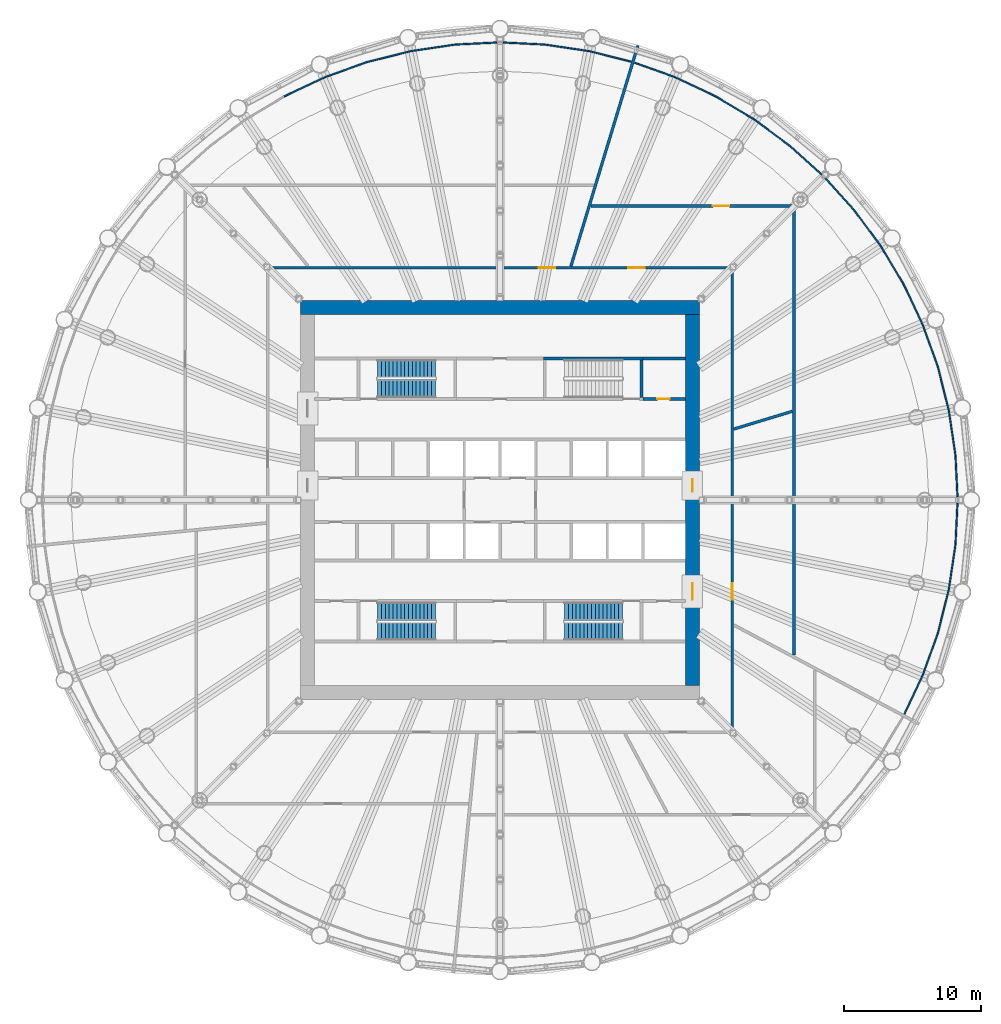
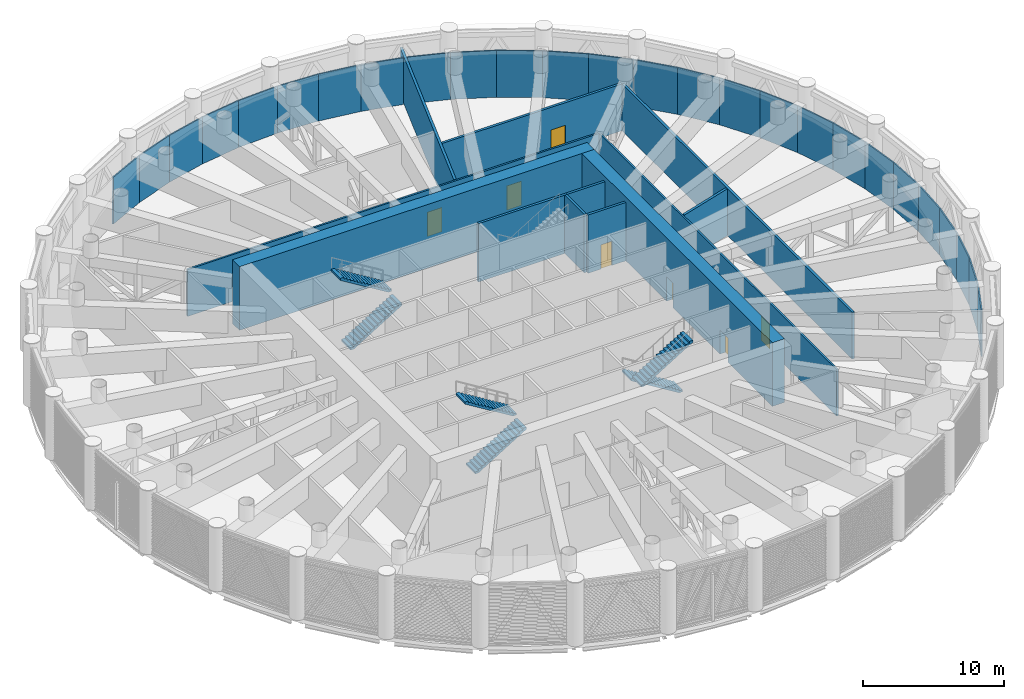
# One storey, part 14 of 29: 38 walls, 7 doors, 6 stair flights, 7 openings, 3 elements without a shape of their own.
"""IFC4 building model written with IfcOpenShell, lengths in metres."""

from ifc_helpers import new_model, si_unit, direction, frame, frame_2d, origin, place, context, subcontext, project, spatial, polyline, rectangle, outline, extrude, material, layer, layer_set, type_object, element, fill, aggregate, save


model = new_model("IFC4")

# Units and contexts
model_context = context("Model", 3, precision=1e-05, world=origin(), true_north=direction((0.0, 1.0)))
body_context = subcontext(model_context, "Body", "Model", "MODEL_VIEW")
ifc_project = project(units=[si_unit("LENGTHUNIT", "METRE"), si_unit("AREAUNIT", "SQUARE_METRE"), si_unit("VOLUMEUNIT", "CUBIC_METRE"), si_unit("PLANEANGLEUNIT", "RADIAN"), si_unit("MASSUNIT", "GRAM", prefix="KILO")], contexts=[model_context])

# Site, building, storey
site_placement = place(None, origin())
site = spatial("IfcSite", under=ifc_project, at=site_placement, CompositionType="ELEMENT")
building_placement = place(site_placement, origin())
building = spatial("IfcBuilding", under=site, at=building_placement, Name="Corvane Civic Tower", CompositionType="ELEMENT")
storey_placement = place(building_placement, frame((0.0, 0.0, 138.5)))
storey = spatial("IfcBuildingStorey", under=building, at=storey_placement, Name="L32", CompositionType="ELEMENT", Elevation=138.5)

# Wall
ifc_material_1 = material(Name="Concrete C70/85", Category="concrete")
ifc_layer_1 = layer(ifc_material_1, 1.0)
ifc_layer_set_1 = layer_set([ifc_layer_1], Name="Concrete C70/85")
wall_type_1 = type_object("IfcWallType", Name="CORE WALL 1000 C70/85", PredefinedType="SHEAR", material=ifc_layer_set_1)
wall_1_placement = place(storey_placement, frame((-14.5, 14.0, 0.0), z_axis=(0.0, 0.0, 1.0), x_axis=(1.0, 0.0, 0.0)))
element("IfcWall", 1, at=wall_1_placement, inside=storey, type_object=wall_type_1, Name="W-L32-core-N", PredefinedType="SHEAR", context=body_context, shape_type="SweptSolid", body=[
    extrude(rectangle(XDim=29.0, YDim=1.0, at=frame_2d((14.5, 0.0))), origin(), (0.0, 0.0, 1.0), 5.5),
])

# Wall, openings, doors
wall_2_placement = place(storey_placement, frame((14.0, -13.5, 0.0), z_axis=(0.0, 0.0, 1.0), x_axis=(0.0, 1.0, 0.0)))
wall_2 = element("IfcWall", 2, at=wall_2_placement, inside=storey, type_object=wall_type_1, Name="W-L32-core-E", PredefinedType="SHEAR", context=body_context, shape_type="SweptSolid", body=[
    extrude(rectangle(XDim=27.0, YDim=1.0, at=frame_2d((13.5, 0.0))), origin(), (0.0, 0.0, 1.0), 5.5),
])
opening_1_placement = place(wall_2_placement, frame((14.10009765625, 0.0, 0.0)))
opening_1 = element("IfcOpeningElement", 3, at=opening_1_placement, cuts=wall_2, Name="Opening L32.C19", PredefinedType="OPENING", context=body_context, shape_type="SweptSolid", body=[
    extrude(rectangle(XDim=0.89990234375, YDim=2.10009765625, at=frame_2d((0.449951171875, 1.050048828125))), frame((0.0, 0.510009765625, 0.0), z_axis=(0.0, -1.0, 0.0), x_axis=(1.0, 0.0, 0.0)), (0.0, 0.0, 1.0), 1.02001953125),
])
opening_2_placement = place(wall_2_placement, frame((6.25, 0.0, 0.0)))
opening_2 = element("IfcOpeningElement", 4, at=opening_2_placement, cuts=wall_2, Name="Opening L32.C21", PredefinedType="OPENING", context=body_context, shape_type="SweptSolid", body=[
    extrude(rectangle(XDim=1.199951171875, YDim=2.10009765625, at=frame_2d((0.60009765625, 1.050048828125))), frame((0.0, 0.510009765625, 0.0), z_axis=(0.0, -1.0, 0.0), x_axis=(1.0, 0.0, 0.0)), (0.0, 0.0, 1.0), 1.02001953125),
])
ifc_material_2 = material(Name="Steel fire door leaf", Category="steel")
door_type_1 = type_object("IfcDoorType", Name="CR-DOOR-900", OperationType="SINGLE_SWING_LEFT", PredefinedType="DOOR", material=ifc_material_2)
door_1_placement = place(opening_1_placement, origin())
door_1 = element("IfcDoor", 5, at=door_1_placement, inside=storey, type_object=door_type_1, Name="L32 door", OperationType="SINGLE_SWING_LEFT", OverallHeight=2.10009765625, OverallWidth=0.89990234375, PredefinedType="DOOR", context=body_context, shape_type="SweptSolid", body=[
    extrude(rectangle(XDim=0.89990234375, YDim=2.10009765625, at=frame_2d((0.449951171875, 1.050048828125))), frame((0.0, 0.02490234375, 0.0), z_axis=(0.0, -1.0, 0.0), x_axis=(1.0, 0.0, 0.0)), (0.0, 0.0, 1.0), 0.050048828125),
])
fill(opening_1, door_1)
ifc_material_3 = material(Name="Steel fire door leaf", Category="steel")
door_type_2 = type_object("IfcDoorType", Name="CR-DOOR-CORE-1800", OperationType="DOUBLE_DOOR_SINGLE_SWING", PredefinedType="DOOR", material=ifc_material_3)
door_2_placement = place(opening_2_placement, origin())
door_2 = element("IfcDoor", 6, at=door_2_placement, inside=storey, type_object=door_type_2, Name="L32 door", OperationType="DOUBLE_DOOR_SINGLE_SWING", OverallHeight=2.10009765625, OverallWidth=1.199951171875, PredefinedType="DOOR", context=body_context, shape_type="SweptSolid", body=[
    extrude(rectangle(XDim=1.199951171875, YDim=2.10009765625, at=frame_2d((0.60009765625, 1.050048828125))), frame((0.0, 0.02490234375, 0.0), z_axis=(0.0, -1.0, 0.0), x_axis=(1.0, 0.0, 0.0)), (0.0, 0.0, 1.0), 0.050048828125),
])
fill(opening_2, door_2)

# Wall, opening, door
ifc_material_4 = material(Name="Concrete C30/37", Category="concrete")
ifc_layer_2 = layer(ifc_material_4, 0.199951171875)
ifc_layer_set_2 = layer_set([ifc_layer_2], Name="Concrete C30/37")
wall_type_2 = type_object("IfcWallType", Name="CR-WALL-200", PredefinedType="PARTITIONING", material=ifc_layer_set_2)
wall_3_placement = place(storey_placement, frame((10.39990234375, 7.35009765625, 0.0), z_axis=(0.0, 0.0, 1.0), x_axis=(1.0, 0.0, 0.0)))
wall_3 = element("IfcWall", 7, at=wall_3_placement, inside=storey, type_object=wall_type_2, Name="L32 core partition wall", PredefinedType="PARTITIONING", context=body_context, shape_type="SweptSolid", body=[
    extrude(rectangle(XDim=3.10009765625, YDim=0.199951171875, at=frame_2d((1.550048828125, 0.0))), origin(), (0.0, 0.0, 1.0), 5.050048828125),
])
opening_3_placement = place(wall_3_placement, frame((1.050048828125, 0.0, 0.0)))
opening_3 = element("IfcOpeningElement", 8, at=opening_3_placement, cuts=wall_3, Name="Opening L32.C10", PredefinedType="OPENING", context=body_context, shape_type="SweptSolid", body=[
    extrude(rectangle(XDim=0.89990234375, YDim=2.10009765625, at=frame_2d((0.449951171875, 1.050048828125))), frame((0.0, 0.10986328125, 0.0), z_axis=(0.0, -1.0, 0.0), x_axis=(1.0, 0.0, 0.0)), (0.0, 0.0, 1.0), 0.219970703125),
])
door_3_placement = place(opening_3_placement, origin())
door_3 = element("IfcDoor", 9, at=door_3_placement, inside=storey, type_object=door_type_1, Name="L32 door", OperationType="SINGLE_SWING_LEFT", OverallHeight=2.10009765625, OverallWidth=0.89990234375, PredefinedType="DOOR", context=body_context, shape_type="SweptSolid", body=[
    extrude(rectangle(XDim=0.89990234375, YDim=2.10009765625, at=frame_2d((0.449951171875, 1.050048828125))), frame((0.0, 0.02490234375, 0.0), z_axis=(0.0, -1.0, 0.0), x_axis=(1.0, 0.0, 0.0)), (0.0, 0.0, 1.0), 0.050048828125),
])
fill(opening_3, door_3)

# Walls
wall_4_placement = place(storey_placement, origin())
element("IfcWall", 10, at=wall_4_placement, inside=storey, type_object=wall_type_2, Name="L32 core partition wall", PredefinedType="PARTITIONING", context=body_context, shape_type="SweptSolid", body=[
    extrude(outline(polyline([(10.39990234375, 10.199951171875), (10.39990234375, 10.39990234375), (13.5, 10.39990234375), (13.5, 10.199951171875), (10.39990234375, 10.199951171875)])), origin(), (0.0, 0.0, 1.0), 5.050048828125),
])
ifc_material_5 = material(Name="Plasterboard")
ifc_layer_3 = layer(ifc_material_5, 0.10009765625)
ifc_layer_set_3 = layer_set([ifc_layer_3], Name="Plasterboard")
wall_type_3 = type_object("IfcWallType", Name="Partition 100 plasterboard on studs", PredefinedType="PARTITIONING", material=ifc_layer_set_3)
for number, where, z_axis, x_axis, name in (
    (11, (33.138427734375, 3.263916015625, 0.0), (0.0, 0.0, 1.0), (0.049084305322, -0.998794639038, 0.0), "Partition L32.021"),
    (12, (32.658935546875, 6.496337890625, 0.0), (0.0, 0.0, 1.0), (0.146732779016, -0.989176168113, 0.0), "Partition L32.023"),
):
    element("IfcWall", number, at=place(storey_placement, frame(where, z_axis=z_axis, x_axis=x_axis)), inside=storey, type_object=wall_type_3, Name=name, PredefinedType="PARTITIONING", context=body_context, shape_type="SweptSolid", body=[
        extrude(rectangle(XDim=3.267822265625, YDim=0.10009765625, at=frame_2d((1.6337890625, 0.0))), origin(), (0.0, 0.0, 1.0), 4.050048828125),
    ])
wall_5_placement = place(storey_placement, frame((31.86474609375, 9.666015625, 0.0), z_axis=(0.0, 0.0, 1.0), x_axis=(0.243045406327, -0.970014912495, 0.0)))
element("IfcWall", 13, at=wall_5_placement, inside=storey, type_object=wall_type_3, Name="Partition L32.025", PredefinedType="PARTITIONING", context=body_context, shape_type="SweptSolid", body=[
    extrude(rectangle(XDim=3.267578125, YDim=0.10009765625, at=frame_2d((1.6337890625, 0.0))), origin(), (0.0, 0.0, 1.0), 4.050048828125),
])
for number, where, z_axis, x_axis, name in (
    (14, (30.76416015625, 12.742919921875, 0.0), (0.0, 0.0, 1.0), (0.336795438533, -0.94157784202, 0.0), "Partition L32.027"),
    (15, (29.36669921875, 15.69677734375, 0.0), (0.0, 0.0, 1.0), (0.427652727974, -0.903943108971, 0.0), "Partition L32.029"),
    (16, (27.68701171875, 18.499755859375, 0.0), (0.0, 0.0, 1.0), (0.514023229516, -0.857776264254, 0.0), "Partition L32.031"),
    (17, (25.740234375, 21.12451171875, 0.0), (0.0, 0.0, 1.0), (0.595724124813, -0.803189122882, 0.0), "Partition L32.033"),
    (18, (23.545654296875, 23.545654296875, 0.0), (0.0, 0.0, 1.0), (0.671589927788, -0.740923051938, 0.0), "Partition L32.035"),
    (19, (21.12451171875, 25.740234375, 0.0), (0.0, 0.0, 1.0), (0.740923051938, -0.671589927788, 0.0), "Partition L32.037"),
    (20, (18.499755859375, 27.68701171875, 0.0), (0.0, 0.0, 1.0), (0.803189122882, -0.595724124813, 0.0), "Partition L32.039"),
    (21, (15.69677734375, 29.36669921875, 0.0), (0.0, 0.0, 1.0), (0.857776264254, -0.514023229516, 0.0), "Partition L32.041"),
    (22, (12.742919921875, 30.76416015625, 0.0), (0.0, 0.0, 1.0), (0.903943108971, -0.427652727974, 0.0), "Partition L32.043"),
):
    element("IfcWall", number, at=place(storey_placement, frame(where, z_axis=z_axis, x_axis=x_axis)), inside=storey, type_object=wall_type_3, Name=name, PredefinedType="PARTITIONING", context=body_context, shape_type="SweptSolid", body=[
        extrude(rectangle(XDim=3.267822265625, YDim=0.10009765625, at=frame_2d((1.6337890625, 0.0))), origin(), (0.0, 0.0, 1.0), 4.050048828125),
    ])
for number, where, z_axis, x_axis, name in (
    (23, (9.798095703125, 31.817626953125, 0.0), (0.0, 0.0, 1.0), (0.941565174408, -0.336830851233, 0.0), "Partition L32.044"),
    (24, (6.496337890625, 32.658935546875, 0.0), (0.0, 0.0, 1.0), (0.97002760021, -0.242994762972, 0.0), "Partition L32.047"),
):
    element("IfcWall", number, at=place(storey_placement, frame(where, z_axis=z_axis, x_axis=x_axis)), inside=storey, type_object=wall_type_3, Name=name, PredefinedType="PARTITIONING", context=body_context, shape_type="SweptSolid", body=[
        extrude(rectangle(XDim=3.127685546875, YDim=0.10009765625, at=frame_2d((1.56396484375, 0.0))), origin(), (0.0, 0.0, 1.0), 4.050048828125),
    ])
for number, where, z_axis, x_axis, name in (
    (25, (3.263916015625, 33.138427734375, 0.0), (0.0, 0.0, 1.0), (0.989176168113, -0.146732779016, 0.0), "Partition L32.048"),
    (26, (0.0, 33.298828125, 0.0), (0.0, 0.0, 1.0), (0.998794639038, -0.049084305322, 0.0), "Partition L32.051"),
    (27, (-3.263916015625, 33.138427734375, 0.0), (0.0, 0.0, 1.0), (0.998794639038, 0.049084305322, 0.0), "Partition L32.053"),
    (28, (-6.496337890625, 32.658935546875, 0.0), (0.0, 0.0, 1.0), (0.989176168113, 0.146732779016, 0.0), "Partition L32.055"),
):
    element("IfcWall", number, at=place(storey_placement, frame(where, z_axis=z_axis, x_axis=x_axis)), inside=storey, type_object=wall_type_3, Name=name, PredefinedType="PARTITIONING", context=body_context, shape_type="SweptSolid", body=[
        extrude(rectangle(XDim=3.267822265625, YDim=0.10009765625, at=frame_2d((1.6337890625, 0.0))), origin(), (0.0, 0.0, 1.0), 4.050048828125),
    ])
wall_6_placement = place(storey_placement, frame((-9.666015625, 31.86474609375, 0.0), z_axis=(0.0, 0.0, 1.0), x_axis=(0.970014912495, 0.243045406327, 0.0)))
element("IfcWall", 29, at=wall_6_placement, inside=storey, type_object=wall_type_3, Name="Partition L32.057", PredefinedType="PARTITIONING", context=body_context, shape_type="SweptSolid", body=[
    extrude(rectangle(XDim=3.267578125, YDim=0.10009765625, at=frame_2d((1.6337890625, 0.0))), origin(), (0.0, 0.0, 1.0), 4.050048828125),
])
for number, where, z_axis, x_axis, name in (
    (30, (-12.742919921875, 30.76416015625, 0.0), (0.0, 0.0, 1.0), (0.94157784202, 0.336795438533, 0.0), "Partition L32.059"),
    (31, (-15.69677734375, 29.36669921875, 0.0), (0.0, 0.0, 1.0), (0.903943108971, 0.427652727974, 0.0), "Partition L32.061"),
):
    element("IfcWall", number, at=place(storey_placement, frame(where, z_axis=z_axis, x_axis=x_axis)), inside=storey, type_object=wall_type_3, Name=name, PredefinedType="PARTITIONING", context=body_context, shape_type="SweptSolid", body=[
        extrude(rectangle(XDim=3.267822265625, YDim=0.10009765625, at=frame_2d((1.6337890625, 0.0))), origin(), (0.0, 0.0, 1.0), 4.050048828125),
    ])
wall_7_placement = place(storey_placement, frame((29.4267578125, -15.5703125, 0.0), z_axis=(0.0, 0.0, 1.0), x_axis=(0.427593042141, 0.903971343745, 0.0)))
element("IfcWall", 32, at=wall_7_placement, inside=storey, type_object=wall_type_3, Name="Partition L32.074", PredefinedType="PARTITIONING", context=body_context, shape_type="SweptSolid", body=[
    extrude(rectangle(XDim=3.127685546875, YDim=0.10009765625, at=frame_2d((1.56396484375, 0.0))), origin(), (0.0, 0.0, 1.0), 4.050048828125),
])
wall_8_placement = place(storey_placement, frame((30.76416015625, -12.742919921875, 0.0), z_axis=(0.0, 0.0, 1.0), x_axis=(0.336795438533, 0.94157784202, 0.0)))
element("IfcWall", 33, at=wall_8_placement, inside=storey, type_object=wall_type_3, Name="Partition L32.076", PredefinedType="PARTITIONING", context=body_context, shape_type="SweptSolid", body=[
    extrude(rectangle(XDim=3.267822265625, YDim=0.10009765625, at=frame_2d((1.6337890625, 0.0))), origin(), (0.0, 0.0, 1.0), 4.050048828125),
])
wall_9_placement = place(storey_placement, frame((31.86474609375, -9.666015625, 0.0), z_axis=(0.0, 0.0, 1.0), x_axis=(0.243045406327, 0.970014912495, 0.0)))
element("IfcWall", 34, at=wall_9_placement, inside=storey, type_object=wall_type_3, Name="Partition L32.078", PredefinedType="PARTITIONING", context=body_context, shape_type="SweptSolid", body=[
    extrude(rectangle(XDim=3.267578125, YDim=0.10009765625, at=frame_2d((1.6337890625, 0.0))), origin(), (0.0, 0.0, 1.0), 4.050048828125),
])
for number, where, z_axis, x_axis, name in (
    (35, (32.658935546875, -6.496337890625, 0.0), (0.0, 0.0, 1.0), (0.146732779016, 0.989176168113, 0.0), "Partition L32.080"),
    (36, (33.138427734375, -3.263916015625, 0.0), (0.0, 0.0, 1.0), (0.049084305322, 0.998794639038, 0.0), "Partition L32.082"),
):
    element("IfcWall", number, at=place(storey_placement, frame(where, z_axis=z_axis, x_axis=x_axis)), inside=storey, type_object=wall_type_3, Name=name, PredefinedType="PARTITIONING", context=body_context, shape_type="SweptSolid", body=[
        extrude(rectangle(XDim=3.267822265625, YDim=0.10009765625, at=frame_2d((1.6337890625, 0.0))), origin(), (0.0, 0.0, 1.0), 4.050048828125),
    ])
ifc_material_6 = material(Name="Gypsum fibreboard")
ifc_layer_4 = layer(ifc_material_6, 0.199951171875)
ifc_layer_set_4 = layer_set([ifc_layer_4], Name="Gypsum fibreboard")
wall_type_4 = type_object("IfcWallType", Name="Plant and refuge wall 200 EI 120", PredefinedType="PARTITIONING", material=ifc_layer_set_4)
wall_10_placement = place(storey_placement, frame((21.39990234375, -11.271728515625, 0.0), z_axis=(0.0, 0.0, 1.0), x_axis=(0.0, 1.0, 0.0)))
element("IfcWall", 37, at=wall_10_placement, inside=storey, type_object=wall_type_4, Name="Partition L32.011", PredefinedType="PARTITIONING", context=body_context, shape_type="SweptSolid", body=[
    extrude(rectangle(XDim=32.57177734375, YDim=0.199951171875, at=frame_2d((16.285888671875, 0.0))), origin(), (0.0, 0.0, 1.0), 4.050048828125),
])
wall_11_placement = place(storey_placement, frame((17.00390625, 5.158203125, 0.0), z_axis=(0.0, 0.0, 1.0), x_axis=(0.95695392167, 0.290239886645, 0.0)))
element("IfcWall", 38, at=wall_11_placement, inside=storey, type_object=wall_type_4, Name="Partition L32.014", PredefinedType="PARTITIONING", context=body_context, shape_type="SweptSolid", body=[
    extrude(rectangle(XDim=4.458984375, YDim=0.199951171875, at=frame_2d((2.2294921875, 0.0))), origin(), (0.0, 0.0, 1.0), 4.050048828125),
])
wall_12_placement = place(storey_placement, frame((5.158203125, 17.00390625, 0.0), z_axis=(0.0, 0.0, 1.0), x_axis=(0.290272267753, 0.956944100026, 0.0)))
element("IfcWall", 39, at=wall_12_placement, inside=storey, type_object=wall_type_4, Name="Partition L32.016", PredefinedType="PARTITIONING", context=body_context, shape_type="SweptSolid", body=[
    extrude(rectangle(XDim=16.781005859375, YDim=0.199951171875, at=frame_2d((8.390625, 0.0))), origin(), (0.0, 0.0, 1.0), 4.050048828125),
])

# Wall, opening, door
wall_13_placement = place(storey_placement, frame((6.62646484375, 21.39990234375, 0.0), z_axis=(0.0, 0.0, 1.0), x_axis=(1.0, 0.0, 0.0)))
wall_13 = element("IfcWall", 40, at=wall_13_placement, inside=storey, type_object=wall_type_4, Name="Partition L32.018", PredefinedType="PARTITIONING", context=body_context, shape_type="SweptSolid", body=[
    extrude(rectangle(XDim=14.673583984375, YDim=0.199951171875, at=frame_2d((7.3369140625, 0.0))), origin(), (0.0, 0.0, 1.0), 4.050048828125),
])
opening_4_placement = place(wall_13_placement, frame((8.85595703125, 0.0, 0.0)))
opening_4 = element("IfcOpeningElement", 41, at=opening_4_placement, cuts=wall_13, Name="Opening L32.001", PredefinedType="OPENING", context=body_context, shape_type="SweptSolid", body=[
    extrude(rectangle(XDim=1.199951171875, YDim=2.10009765625, at=frame_2d((0.60009765625, 1.050048828125))), frame((0.0, 0.10986328125, 0.0), z_axis=(0.0, -1.0, 0.0), x_axis=(1.0, 0.0, 0.0)), (0.0, 0.0, 1.0), 0.219970703125),
])
ifc_material_7 = material(Name="Steel and timber", Category="steel")
door_type_3 = type_object("IfcDoorType", Name="Fire door FD60 1200", OperationType="NOTDEFINED", PredefinedType="DOOR", material=ifc_material_7)
door_4_placement = place(opening_4_placement, origin())
door_4 = element("IfcDoor", 42, at=door_4_placement, inside=storey, type_object=door_type_3, Name="Door L32.001", OperationType="SINGLE_SWING_RIGHT", OverallHeight=2.10009765625, OverallWidth=1.199951171875, PredefinedType="DOOR", context=body_context, shape_type="SweptSolid", body=[
    extrude(rectangle(XDim=1.199951171875, YDim=2.10009765625, at=frame_2d((0.60009765625, 1.050048828125))), frame((0.0, 0.02490234375, 0.0), z_axis=(0.0, -1.0, 0.0), x_axis=(1.0, 0.0, 0.0)), (0.0, 0.0, 1.0), 0.050048828125),
])
fill(opening_4, door_4)

# Walls
ifc_material_8 = material(Name="Concrete C50/60", Category="concrete")
ifc_layer_5 = layer(ifc_material_8, 0.199951171875)
ifc_layer_set_5 = layer_set([ifc_layer_5], Name="Concrete C50/60")
wall_type_5 = type_object("IfcWallType", Name="ST-WALL-200", PredefinedType="SHEAR", material=ifc_layer_set_5)
wall_14_placement = place(storey_placement, origin())
element("IfcWall", 43, at=wall_14_placement, inside=storey, type_object=wall_type_5, Name="L32 stair enclosure wall", PredefinedType="SHEAR", context=body_context, shape_type="SweptSolid", body=[
    extrude(outline(polyline([(10.39990234375, 10.199951171875), (3.14990234375, 10.199951171875), (3.14990234375, 10.39990234375), (10.39990234375, 10.39990234375), (10.39990234375, 10.199951171875)])), origin(), (0.0, 0.0, 1.0), 5.050048828125),
])
wall_15_placement = place(storey_placement, origin())
element("IfcWall", 44, at=wall_15_placement, inside=storey, type_object=wall_type_5, Name="L32 stair enclosure wall", PredefinedType="SHEAR", context=body_context, shape_type="SweptSolid", body=[
    extrude(outline(polyline([(10.39990234375, 7.449951171875), (10.199951171875, 7.449951171875), (10.199951171875, 10.199951171875), (10.39990234375, 10.199951171875), (10.39990234375, 7.449951171875)])), origin(), (0.0, 0.0, 1.0), 5.050048828125),
])

# Wall, opening, door
ifc_material_9 = material(Name="Plasterboard")
ifc_layer_6 = layer(ifc_material_9, 0.14990234375)
ifc_layer_set_6 = layer_set([ifc_layer_6], Name="Plasterboard")
wall_type_6 = type_object("IfcWallType", Name="Tenancy wall 150 EI 60", PredefinedType="PARTITIONING", material=ifc_layer_set_6)
wall_16_placement = place(storey_placement, frame((16.89990234375, -16.824951171875, 0.0), z_axis=(0.0, 0.0, 1.0), x_axis=(0.0, 1.0, 0.0)))
wall_16 = element("IfcWall", 45, at=wall_16_placement, inside=storey, type_object=wall_type_6, Name="Partition L32.009", PredefinedType="PARTITIONING", context=body_context, shape_type="SweptSolid", body=[
    extrude(rectangle(XDim=33.64990234375, YDim=0.14990234375, at=frame_2d((16.824951171875, 0.0))), origin(), (0.0, 0.0, 1.0), 4.050048828125),
])
opening_5_placement = place(wall_16_placement, frame((9.57861328125, 0.0, 0.0)))
opening_5 = element("IfcOpeningElement", 46, at=opening_5_placement, cuts=wall_16, Name="Opening L32.003", PredefinedType="OPENING", context=body_context, shape_type="SweptSolid", body=[
    extrude(rectangle(XDim=1.199951171875, YDim=2.10009765625, at=frame_2d((0.60009765625, 1.050048828125))), frame((0.0, 0.0849609375, 0.0), z_axis=(0.0, -1.0, 0.0), x_axis=(1.0, 0.0, 0.0)), (0.0, 0.0, 1.0), 0.169921875),
])
door_5_placement = place(opening_5_placement, frame((1.199951171875, 0.0, 0.0), z_axis=(0.0, 0.0, 1.0), x_axis=(-1.0, 0.0, 0.0)))
door_5 = element("IfcDoor", 47, at=door_5_placement, inside=storey, type_object=door_type_3, Name="Door L32.003", OperationType="SINGLE_SWING_LEFT", OverallHeight=2.10009765625, OverallWidth=1.199951171875, PredefinedType="DOOR", context=body_context, shape_type="SweptSolid", body=[
    extrude(rectangle(XDim=1.199951171875, YDim=2.10009765625, at=frame_2d((0.60009765625, 1.050048828125))), frame((0.0, 0.02490234375, 0.0), z_axis=(0.0, -1.0, 0.0), x_axis=(1.0, 0.0, 0.0)), (0.0, 0.0, 1.0), 0.050048828125),
])
fill(opening_5, door_5)

# Wall, openings, doors
wall_17_placement = place(storey_placement, frame((-16.824951171875, 16.89990234375, 0.0), z_axis=(0.0, 0.0, 1.0), x_axis=(1.0, 0.0, 0.0)))
wall_17 = element("IfcWall", 48, at=wall_17_placement, inside=storey, type_object=wall_type_6, Name="Partition L32.015", PredefinedType="PARTITIONING", context=body_context, shape_type="SweptSolid", body=[
    extrude(rectangle(XDim=33.64990234375, YDim=0.14990234375, at=frame_2d((16.824951171875, 0.0))), origin(), (0.0, 0.0, 1.0), 4.050048828125),
])
opening_6_placement = place(wall_17_placement, frame((26.155029296875, 0.0, 0.0)))
opening_6 = element("IfcOpeningElement", 49, at=opening_6_placement, cuts=wall_17, Name="Opening L32.002", PredefinedType="OPENING", context=body_context, shape_type="SweptSolid", body=[
    extrude(rectangle(XDim=1.199951171875, YDim=2.10009765625, at=frame_2d((0.60009765625, 1.050048828125))), frame((0.0, 0.0849609375, 0.0), z_axis=(0.0, -1.0, 0.0), x_axis=(1.0, 0.0, 0.0)), (0.0, 0.0, 1.0), 0.169921875),
])
opening_7_placement = place(wall_17_placement, frame((19.652587890625, 0.0, 0.0)))
opening_7 = element("IfcOpeningElement", 50, at=opening_7_placement, cuts=wall_17, Name="Opening L32.011", PredefinedType="OPENING", context=body_context, shape_type="SweptSolid", body=[
    extrude(rectangle(XDim=1.199951171875, YDim=2.10009765625, at=frame_2d((0.60009765625, 1.050048828125))), frame((0.0, 0.0849609375, 0.0), z_axis=(0.0, -1.0, 0.0), x_axis=(1.0, 0.0, 0.0)), (0.0, 0.0, 1.0), 0.169921875),
])
door_6_placement = place(opening_6_placement, origin())
door_6 = element("IfcDoor", 51, at=door_6_placement, inside=storey, type_object=door_type_3, Name="Door L32.002", OperationType="SINGLE_SWING_LEFT", OverallHeight=2.10009765625, OverallWidth=1.199951171875, PredefinedType="DOOR", context=body_context, shape_type="SweptSolid", body=[
    extrude(rectangle(XDim=1.199951171875, YDim=2.10009765625, at=frame_2d((0.60009765625, 1.050048828125))), frame((0.0, 0.02490234375, 0.0), z_axis=(0.0, -1.0, 0.0), x_axis=(1.0, 0.0, 0.0)), (0.0, 0.0, 1.0), 0.050048828125),
])
fill(opening_6, door_6)
door_7_placement = place(opening_7_placement, origin())
door_7 = element("IfcDoor", 52, at=door_7_placement, inside=storey, type_object=door_type_3, Name="Door L32.011", OperationType="SINGLE_SWING_LEFT", OverallHeight=2.10009765625, OverallWidth=1.199951171875, PredefinedType="DOOR", context=body_context, shape_type="SweptSolid", body=[
    extrude(rectangle(XDim=1.199951171875, YDim=2.10009765625, at=frame_2d((0.60009765625, 1.050048828125))), frame((0.0, 0.02490234375, 0.0), z_axis=(0.0, -1.0, 0.0), x_axis=(1.0, 0.0, 0.0)), (0.0, 0.0, 1.0), 0.050048828125),
])
fill(opening_7, door_7)

# Stair, stair flights
ifc_material_10 = material(Name="Concrete C40/50", Category="concrete")
stair_type = type_object("IfcStairType", Name="ST-STAIR-HALFTURN", PredefinedType="HALF_TURN_STAIR", material=ifc_material_10)
stair_1_placement = place(storey_placement, origin())
stair_1 = element("IfcStair", 53, at=stair_1_placement, inside=storey, type_object=stair_type, Name="L32 Exit stair ST2", PredefinedType="HALF_TURN_STAIR")
ifc_material_11 = material(Name="Concrete C40/50", Category="concrete")
stair_flight_type = type_object("IfcStairFlightType", Name="ST-FLIGHT-RC", PredefinedType="STRAIGHT", material=ifc_material_11)
stair_flight_1_placement = place(storey_placement, frame((8.89990234375, -8.10009765625, 0.0), z_axis=(0.0, 0.0, 1.0), x_axis=(-1.0, 0.0, 0.0)))
stair_flight_1 = element("IfcStairFlight", 54, at=stair_flight_1_placement, type_object=stair_flight_type, Name="ST2 flight 1", NumberOfRisers=16, NumberOfTreads=15, PredefinedType="STRAIGHT", RiserHeight=0.171875, TreadLength=0.28, context=body_context, shape_type="SweptSolid", body=[
    extrude(outline(polyline([(0.0, 0.0), (0.0, 0.171875), (0.280029296875, 0.171875), (0.280029296875, 0.34375), (0.56005859375, 0.34375), (0.56005859375, 0.515625), (0.840087890625, 0.515625), (0.840087890625, 0.6875), (1.1201171875, 0.6875), (1.1201171875, 0.859375), (1.39990234375, 0.859375), (1.39990234375, 1.03125), (1.679931640625, 1.03125), (1.679931640625, 1.203125), (1.9599609375, 1.203125), (1.9599609375, 1.375), (2.239990234375, 1.375), (2.239990234375, 1.546875), (2.52001953125, 1.546875), (2.52001953125, 1.71875), (2.800048828125, 1.71875), (2.800048828125, 1.890625), (3.080078125, 1.890625), (3.080078125, 2.0625), (3.360107421875, 2.0625), (3.360107421875, 2.234375), (3.639892578125, 2.234375), (3.639892578125, 2.40625), (3.919921875, 2.40625), (3.919921875, 2.578125), (4.199951171875, 2.578125), (4.199951171875, 2.75), (4.199951171875, 2.40234375), (0.28662109375, 0.0), (0.0, 0.0)])), frame((0.0, 0.64990234375, 0.0), z_axis=(0.0, -1.0, 0.0), x_axis=(1.0, 0.0, 0.0)), (0.0, 0.0, 1.0), 1.300048828125),
])
stair_flight_2_placement = place(storey_placement, frame((4.699951171875, -9.550048828125, 2.75), z_axis=(0.0, 0.0, 1.0), x_axis=(1.0, 0.0, 0.0)))
stair_flight_2 = element("IfcStairFlight", 55, at=stair_flight_2_placement, type_object=stair_flight_type, Name="ST2 flight 2", NumberOfRisers=16, NumberOfTreads=15, PredefinedType="STRAIGHT", RiserHeight=0.171875, TreadLength=0.28, context=body_context, shape_type="SweptSolid", body=[
    extrude(outline(polyline([(0.0, 0.0), (0.0, 0.171875), (0.280029296875, 0.171875), (0.280029296875, 0.34375), (0.56005859375, 0.34375), (0.56005859375, 0.515625), (0.840087890625, 0.515625), (0.840087890625, 0.6875), (1.1201171875, 0.6875), (1.1201171875, 0.859375), (1.39990234375, 0.859375), (1.39990234375, 1.03125), (1.679931640625, 1.03125), (1.679931640625, 1.203125), (1.9599609375, 1.203125), (1.9599609375, 1.375), (2.239990234375, 1.375), (2.239990234375, 1.546875), (2.52001953125, 1.546875), (2.52001953125, 1.71875), (2.800048828125, 1.71875), (2.800048828125, 1.890625), (3.080078125, 1.890625), (3.080078125, 2.0625), (3.360107421875, 2.0625), (3.360107421875, 2.234375), (3.639892578125, 2.234375), (3.639892578125, 2.40625), (3.919921875, 2.40625), (3.919921875, 2.578125), (4.199951171875, 2.578125), (4.199951171875, 2.75), (4.199951171875, 2.40234375), (0.28662109375, 0.0), (0.0, 0.0)])), frame((0.0, 0.64990234375, 0.0), z_axis=(0.0, -1.0, 0.0), x_axis=(1.0, 0.0, 0.0)), (0.0, 0.0, 1.0), 1.300048828125),
])
aggregate(stair_1, [stair_flight_1, stair_flight_2])

stair_2_placement = place(storey_placement, origin())
stair_2 = element("IfcStair", 56, at=stair_2_placement, inside=storey, type_object=stair_type, Name="L32 Exit stair ST3", PredefinedType="HALF_TURN_STAIR")
stair_flight_3_placement = place(storey_placement, frame((-8.89990234375, -9.550048828125, 0.0), z_axis=(0.0, 0.0, 1.0), x_axis=(1.0, 0.0, 0.0)))
stair_flight_3 = element("IfcStairFlight", 57, at=stair_flight_3_placement, type_object=stair_flight_type, Name="ST3 flight 1", NumberOfRisers=16, NumberOfTreads=15, PredefinedType="STRAIGHT", RiserHeight=0.171875, TreadLength=0.28, context=body_context, shape_type="SweptSolid", body=[
    extrude(outline(polyline([(0.0, 0.0), (0.0, 0.171875), (0.280029296875, 0.171875), (0.280029296875, 0.34375), (0.56005859375, 0.34375), (0.56005859375, 0.515625), (0.840087890625, 0.515625), (0.840087890625, 0.6875), (1.1201171875, 0.6875), (1.1201171875, 0.859375), (1.39990234375, 0.859375), (1.39990234375, 1.03125), (1.679931640625, 1.03125), (1.679931640625, 1.203125), (1.9599609375, 1.203125), (1.9599609375, 1.375), (2.239990234375, 1.375), (2.239990234375, 1.546875), (2.52001953125, 1.546875), (2.52001953125, 1.71875), (2.800048828125, 1.71875), (2.800048828125, 1.890625), (3.080078125, 1.890625), (3.080078125, 2.0625), (3.360107421875, 2.0625), (3.360107421875, 2.234375), (3.639892578125, 2.234375), (3.639892578125, 2.40625), (3.919921875, 2.40625), (3.919921875, 2.578125), (4.199951171875, 2.578125), (4.199951171875, 2.75), (4.199951171875, 2.40234375), (0.28662109375, 0.0), (0.0, 0.0)])), frame((0.0, 0.64990234375, 0.0), z_axis=(0.0, -1.0, 0.0), x_axis=(1.0, 0.0, 0.0)), (0.0, 0.0, 1.0), 1.300048828125),
])
stair_flight_4_placement = place(storey_placement, frame((-4.699951171875, -8.10009765625, 2.75), z_axis=(0.0, 0.0, 1.0), x_axis=(-1.0, 0.0, 0.0)))
stair_flight_4 = element("IfcStairFlight", 58, at=stair_flight_4_placement, type_object=stair_flight_type, Name="ST3 flight 2", NumberOfRisers=16, NumberOfTreads=15, PredefinedType="STRAIGHT", RiserHeight=0.171875, TreadLength=0.28, context=body_context, shape_type="SweptSolid", body=[
    extrude(outline(polyline([(0.0, 0.0), (0.0, 0.171875), (0.280029296875, 0.171875), (0.280029296875, 0.34375), (0.56005859375, 0.34375), (0.56005859375, 0.515625), (0.840087890625, 0.515625), (0.840087890625, 0.6875), (1.1201171875, 0.6875), (1.1201171875, 0.859375), (1.39990234375, 0.859375), (1.39990234375, 1.03125), (1.679931640625, 1.03125), (1.679931640625, 1.203125), (1.9599609375, 1.203125), (1.9599609375, 1.375), (2.239990234375, 1.375), (2.239990234375, 1.546875), (2.52001953125, 1.546875), (2.52001953125, 1.71875), (2.800048828125, 1.71875), (2.800048828125, 1.890625), (3.080078125, 1.890625), (3.080078125, 2.0625), (3.360107421875, 2.0625), (3.360107421875, 2.234375), (3.639892578125, 2.234375), (3.639892578125, 2.40625), (3.919921875, 2.40625), (3.919921875, 2.578125), (4.199951171875, 2.578125), (4.199951171875, 2.75), (4.199951171875, 2.40234375), (0.28662109375, 0.0), (0.0, 0.0)])), frame((0.0, 0.64990234375, 0.0), z_axis=(0.0, -1.0, 0.0), x_axis=(1.0, 0.0, 0.0)), (0.0, 0.0, 1.0), 1.300048828125),
])
aggregate(stair_2, [stair_flight_3, stair_flight_4])

stair_3_placement = place(storey_placement, origin())
stair_3 = element("IfcStair", 59, at=stair_3_placement, inside=storey, type_object=stair_type, Name="L32 Exit stair ST4", PredefinedType="HALF_TURN_STAIR")
stair_flight_5_placement = place(storey_placement, frame((-8.89990234375, 8.10009765625, 0.0), z_axis=(0.0, 0.0, 1.0), x_axis=(1.0, 0.0, 0.0)))
stair_flight_5 = element("IfcStairFlight", 60, at=stair_flight_5_placement, type_object=stair_flight_type, Name="ST4 flight 1", NumberOfRisers=16, NumberOfTreads=15, PredefinedType="STRAIGHT", RiserHeight=0.171875, TreadLength=0.28, context=body_context, shape_type="SweptSolid", body=[
    extrude(outline(polyline([(0.0, 0.0), (0.0, 0.171875), (0.280029296875, 0.171875), (0.280029296875, 0.34375), (0.56005859375, 0.34375), (0.56005859375, 0.515625), (0.840087890625, 0.515625), (0.840087890625, 0.6875), (1.1201171875, 0.6875), (1.1201171875, 0.859375), (1.39990234375, 0.859375), (1.39990234375, 1.03125), (1.679931640625, 1.03125), (1.679931640625, 1.203125), (1.9599609375, 1.203125), (1.9599609375, 1.375), (2.239990234375, 1.375), (2.239990234375, 1.546875), (2.52001953125, 1.546875), (2.52001953125, 1.71875), (2.800048828125, 1.71875), (2.800048828125, 1.890625), (3.080078125, 1.890625), (3.080078125, 2.0625), (3.360107421875, 2.0625), (3.360107421875, 2.234375), (3.639892578125, 2.234375), (3.639892578125, 2.40625), (3.919921875, 2.40625), (3.919921875, 2.578125), (4.199951171875, 2.578125), (4.199951171875, 2.75), (4.199951171875, 2.40234375), (0.28662109375, 0.0), (0.0, 0.0)])), frame((0.0, 0.64990234375, 0.0), z_axis=(0.0, -1.0, 0.0), x_axis=(1.0, 0.0, 0.0)), (0.0, 0.0, 1.0), 1.300048828125),
])
stair_flight_6_placement = place(storey_placement, frame((-4.699951171875, 9.550048828125, 2.75), z_axis=(0.0, 0.0, 1.0), x_axis=(-1.0, 0.0, 0.0)))
stair_flight_6 = element("IfcStairFlight", 61, at=stair_flight_6_placement, type_object=stair_flight_type, Name="ST4 flight 2", NumberOfRisers=16, NumberOfTreads=15, PredefinedType="STRAIGHT", RiserHeight=0.171875, TreadLength=0.28, context=body_context, shape_type="SweptSolid", body=[
    extrude(outline(polyline([(0.0, 0.0), (0.0, 0.171875), (0.280029296875, 0.171875), (0.280029296875, 0.34375), (0.56005859375, 0.34375), (0.56005859375, 0.515625), (0.840087890625, 0.515625), (0.840087890625, 0.6875), (1.1201171875, 0.6875), (1.1201171875, 0.859375), (1.39990234375, 0.859375), (1.39990234375, 1.03125), (1.679931640625, 1.03125), (1.679931640625, 1.203125), (1.9599609375, 1.203125), (1.9599609375, 1.375), (2.239990234375, 1.375), (2.239990234375, 1.546875), (2.52001953125, 1.546875), (2.52001953125, 1.71875), (2.800048828125, 1.71875), (2.800048828125, 1.890625), (3.080078125, 1.890625), (3.080078125, 2.0625), (3.360107421875, 2.0625), (3.360107421875, 2.234375), (3.639892578125, 2.234375), (3.639892578125, 2.40625), (3.919921875, 2.40625), (3.919921875, 2.578125), (4.199951171875, 2.578125), (4.199951171875, 2.75), (4.199951171875, 2.40234375), (0.28662109375, 0.0), (0.0, 0.0)])), frame((0.0, 0.64990234375, 0.0), z_axis=(0.0, -1.0, 0.0), x_axis=(1.0, 0.0, 0.0)), (0.0, 0.0, 1.0), 1.300048828125),
])
aggregate(stair_3, [stair_flight_5, stair_flight_6])

save(model, "model.ifc")
